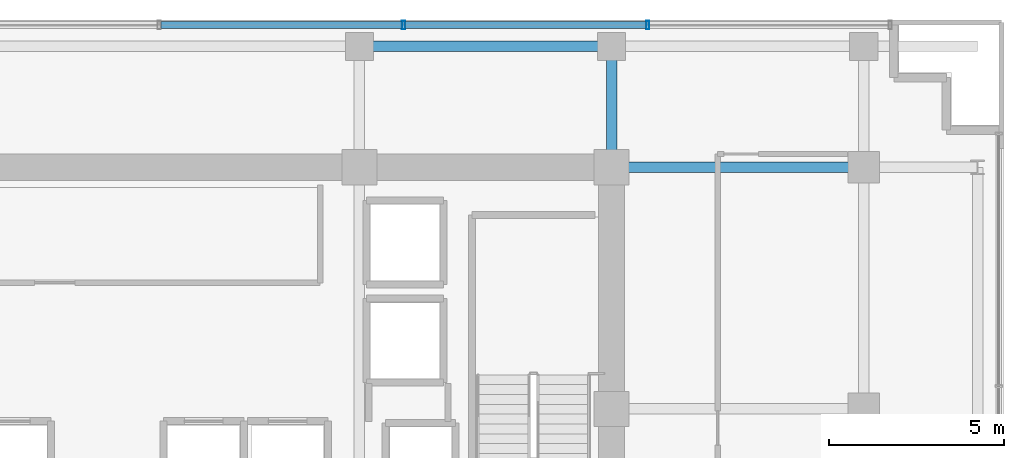
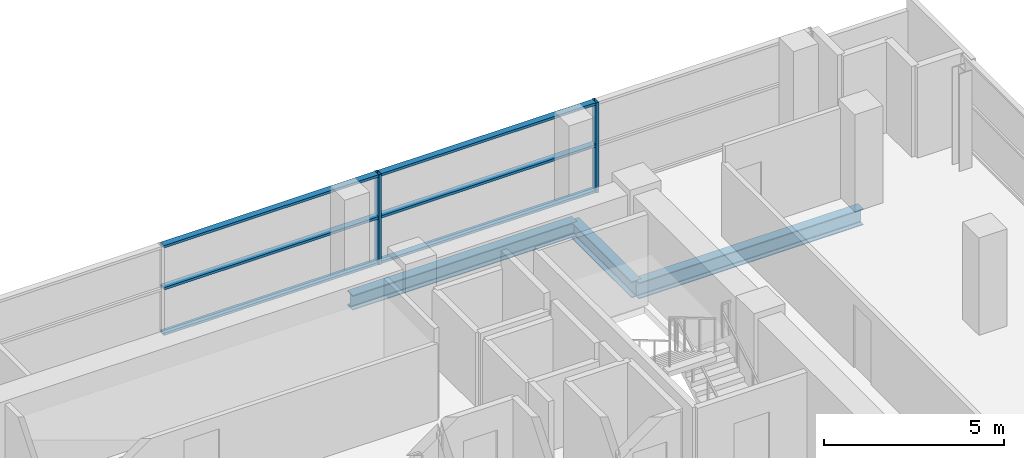
# One storey, part 17 of 28: 8 members, 3 beams, 1 element without a shape of its own.
"""IFC4 building model written with IfcOpenShell, lengths in metres."""

from ifc_helpers import new_model, si_unit, direction, frame, origin, origin_2d, place, context, subcontext, project, spatial, hollow_rectangle, i_section, extrude, source, transform, mapped, material, layer, layer_set, material_profile, profile_set, type_object, element, aggregate, save


model = new_model("IFC4")

# Units and contexts
model_context = context("Model", 3, precision=1e-05, world=origin(), true_north=direction((0.0, 1.0)))
body_context = subcontext(model_context, "Body", "Model", "MODEL_VIEW")
ifc_project = project(units=[si_unit("LENGTHUNIT", "METRE"), si_unit("AREAUNIT", "SQUARE_METRE"), si_unit("VOLUMEUNIT", "CUBIC_METRE"), si_unit("PLANEANGLEUNIT", "RADIAN"), si_unit("MASSUNIT", "GRAM", prefix="KILO")], contexts=[model_context])

# Site, building, storey
site_placement = place(None, origin())
site = spatial("IfcSite", under=ifc_project, at=site_placement, CompositionType="ELEMENT")
building_placement = place(site_placement, origin())
building = spatial("IfcBuilding", under=site, at=building_placement, Name="Zarnakvel Exchange Tower", CompositionType="ELEMENT")
storey_placement = place(building_placement, frame((0.0, 0.0, 109.89990234375)))
storey = spatial("IfcBuildingStorey", under=building, at=storey_placement, Name="L30", CompositionType="ELEMENT", Elevation=109.89990234375)

# Beams
ifc_material_1 = material(Name="Steel S355", Category="steel")
ifc_material_profile_1 = material_profile(ifc_material_1, i_section(OverallWidth=0.300048828125, OverallDepth=0.550048828125, WebThickness=0.014892578125, FlangeThickness=0.029052734375, FilletRadius=0.027099609375, at=origin_2d()))
ifc_profile_set_1 = profile_set([ifc_material_profile_1], Name="Steel S355")
beam_type_1 = type_object("IfcBeamType", Name="G-05", PredefinedType="BEAM", material=ifc_profile_set_1)
beam_1_placement = place(storey_placement, frame((14.39990234375, 13.5, -0.5), z_axis=(1.0, 0.0, 0.0), x_axis=(0.0, 1.0, 0.0)))
element("IfcBeam", 1, at=beam_1_placement, inside=storey, type_object=beam_type_1, Name="L30 Tower E-W Frame Beam", PredefinedType="BEAM", context=body_context, shape_type="SweptSolid", body=[
    extrude(i_section(OverallWidth=0.300048828125, OverallDepth=0.550048828125, WebThickness=0.014892578125, FlangeThickness=0.029052734375, FilletRadius=0.027099609375, at=origin_2d()), origin(), (0.0, 0.0, 1.0), 7.2001953125),
])
beam_2_placement = place(storey_placement, frame((14.39990234375, 13.5, -0.5), z_axis=(0.0, 1.0, 0.0), x_axis=(-1.0, 0.0, 0.0)))
element("IfcBeam", 2, at=beam_2_placement, inside=storey, type_object=beam_type_1, Name="L30 Tower N-S Frame Beam", PredefinedType="BEAM", context=body_context, shape_type="SweptSolid", body=[
    extrude(i_section(OverallWidth=0.300048828125, OverallDepth=0.550048828125, WebThickness=0.014892578125, FlangeThickness=0.029052734375, FilletRadius=0.027099609375, at=origin_2d()), origin(), (0.0, 0.0, 1.0), 3.449951171875),
])
ifc_material_profile_2 = material_profile(ifc_material_1, i_section(OverallWidth=0.300048828125, OverallDepth=0.5, WebThickness=0.014404296875, FlangeThickness=0.028076171875, FilletRadius=0.027099609375, at=origin_2d()))
ifc_profile_set_2 = profile_set([ifc_material_profile_2], Name="Steel S355")
beam_type_2 = type_object("IfcBeamType", Name="SP-02", PredefinedType="SPANDREL", material=ifc_profile_set_2)
beam_3_placement = place(storey_placement, frame((7.199951171875, 16.949951171875, -0.474853515625), z_axis=(1.0, 0.0, 0.0), x_axis=(0.0, 1.0, 0.0)))
element("IfcBeam", 3, at=beam_3_placement, inside=storey, type_object=beam_type_2, Name="L30 Tower E-W Frame Beam", PredefinedType="SPANDREL", context=body_context, shape_type="SweptSolid", body=[
    extrude(i_section(OverallWidth=0.300048828125, OverallDepth=0.5, WebThickness=0.014404296875, FlangeThickness=0.028076171875, FilletRadius=0.027099609375, at=origin_2d()), origin(), (0.0, 0.0, 1.0), 7.199951171875),
])

# Curtain wall, members
ifc_material_2 = material(Name="Architectural Bronze Anodised Aluminium", Category="aluminium")
ifc_layer = layer(ifc_material_2, 0.239990234375)
ifc_layer_set = layer_set([ifc_layer], Name="Architectural Bronze Anodised Aluminium")
curtain_wall_type = type_object("IfcCurtainWallType", Name="CW-02", PredefinedType="NOTDEFINED", material=ifc_layer_set)
curtain_wall_placement = place(storey_placement, origin())
curtain_wall = element("IfcCurtainWall", 4, at=curtain_wall_placement, inside=storey, type_object=curtain_wall_type, Name="L30 Curtain Wall CW-L30-N1 (CW-02)", PredefinedType="NOTDEFINED")
ifc_material_profile_3 = material_profile(ifc_material_2, hollow_rectangle(XDim=0.239990234375, YDim=0.090087890625, WallThickness=0.006103515625, at=origin_2d()))
ifc_profile_set_3 = profile_set([ifc_material_profile_3], Name="Architectural Bronze Anodised Aluminium")
member_type_1 = type_object("IfcMemberType", Name="CWM-02", PredefinedType="MULLION", material=ifc_profile_set_3)
shared_shape_1 = source(origin(), body_context, "Body", "SweptSolid", [
    extrude(hollow_rectangle(XDim=0.239990234375, YDim=0.090087890625, WallThickness=0.006103515625, at=origin_2d()), origin(), (0.0, 0.0, 1.0), 3.05517578125),
])
member_1_placement = place(storey_placement, frame((8.45703125, 17.56005859375, 0.0), z_axis=(0.0, 0.0, 1.0), x_axis=(0.0, 1.0, 0.0)))
member_1 = element("IfcMember", 5, at=member_1_placement, type_object=member_type_1, Name="CW-02 mullion 6", PredefinedType="MULLION", context=body_context, shape_type="MappedRepresentation", body=[
    mapped(shared_shape_1, transform((0.0, 0.0, 0.0), x_axis=(1.0, 0.0, 0.0), y_axis=(0.0, 1.0, 0.0), z_axis=(0.0, 0.0, 1.0), scale=1.0)),
])
member_2_placement = place(storey_placement, frame((15.428466796875, 17.56005859375, 0.0), z_axis=(0.0, 0.0, 1.0), x_axis=(0.0, 1.0, 0.0)))
member_2 = element("IfcMember", 6, at=member_2_placement, type_object=member_type_1, Name="CW-02 mullion 7", PredefinedType="MULLION", context=body_context, shape_type="MappedRepresentation", body=[
    mapped(shared_shape_1, transform((0.0, 0.0, 0.0), x_axis=(1.0, 0.0, 0.0), y_axis=(0.0, 1.0, 0.0), z_axis=(0.0, 0.0, 1.0), scale=1.0)),
])
ifc_material_profile_4 = material_profile(ifc_material_2, hollow_rectangle(XDim=0.199951171875, YDim=0.0849609375, WallThickness=0.0048828125, at=origin_2d()))
ifc_profile_set_4 = profile_set([ifc_material_profile_4], Name="Architectural Bronze Anodised Aluminium")
member_type_2 = type_object("IfcMemberType", Name="CWT-02", PredefinedType="USERDEFINED", material=ifc_profile_set_4)
shared_shape_2 = source(origin(), body_context, "Body", "SweptSolid", [
    extrude(hollow_rectangle(XDim=0.199951171875, YDim=0.0849609375, WallThickness=0.0048828125, at=origin_2d()), origin(), (0.0, 0.0, 1.0), 6.88134765625),
])
member_3_placement = place(storey_placement, frame((1.53076171875, 17.56005859375, 0.04248046875), z_axis=(1.0, 0.0, 0.0), x_axis=(0.0, 1.0, 0.0)))
member_3 = element("IfcMember", 7, at=member_3_placement, type_object=member_type_2, Name="CW-02 transom 5.1", ObjectType="TRANSOM", PredefinedType="USERDEFINED", context=body_context, shape_type="MappedRepresentation", body=[
    mapped(shared_shape_2, transform((0.0, 0.0, 0.0), x_axis=(1.0, 0.0, 0.0), y_axis=(0.0, 1.0, 0.0), z_axis=(0.0, 0.0, 1.0), scale=1.0)),
])
member_4_placement = place(storey_placement, frame((1.53076171875, 17.56005859375, 1.588623046875), z_axis=(1.0, 0.0, 0.0), x_axis=(0.0, 1.0, 0.0)))
member_4 = element("IfcMember", 8, at=member_4_placement, type_object=member_type_2, Name="CW-02 transom 5.2", ObjectType="TRANSOM", PredefinedType="USERDEFINED", context=body_context, shape_type="MappedRepresentation", body=[
    mapped(shared_shape_2, transform((0.0, 0.0, 0.0), x_axis=(1.0, 0.0, 0.0), y_axis=(0.0, 1.0, 0.0), z_axis=(0.0, 0.0, 1.0), scale=1.0)),
])
member_5_placement = place(storey_placement, frame((1.53076171875, 17.56005859375, 3.0126953125), z_axis=(1.0, 0.0, 0.0), x_axis=(0.0, 1.0, 0.0)))
member_5 = element("IfcMember", 9, at=member_5_placement, type_object=member_type_2, Name="CW-02 transom 5.3", ObjectType="TRANSOM", PredefinedType="USERDEFINED", context=body_context, shape_type="MappedRepresentation", body=[
    mapped(shared_shape_2, transform((0.0, 0.0, 0.0), x_axis=(1.0, 0.0, 0.0), y_axis=(0.0, 1.0, 0.0), z_axis=(0.0, 0.0, 1.0), scale=1.0)),
])
member_6_placement = place(storey_placement, frame((8.502197265625, 17.56005859375, 0.04248046875), z_axis=(1.0, 0.0, 0.0), x_axis=(0.0, 1.0, 0.0)))
member_6 = element("IfcMember", 10, at=member_6_placement, type_object=member_type_2, Name="CW-02 transom 6.1", ObjectType="TRANSOM", PredefinedType="USERDEFINED", context=body_context, shape_type="MappedRepresentation", body=[
    mapped(shared_shape_2, transform((0.0, 0.0, 0.0), x_axis=(1.0, 0.0, 0.0), y_axis=(0.0, 1.0, 0.0), z_axis=(0.0, 0.0, 1.0), scale=1.0)),
])
member_7_placement = place(storey_placement, frame((8.502197265625, 17.56005859375, 1.588623046875), z_axis=(1.0, 0.0, 0.0), x_axis=(0.0, 1.0, 0.0)))
member_7 = element("IfcMember", 11, at=member_7_placement, type_object=member_type_2, Name="CW-02 transom 6.2", ObjectType="TRANSOM", PredefinedType="USERDEFINED", context=body_context, shape_type="MappedRepresentation", body=[
    mapped(shared_shape_2, transform((0.0, 0.0, 0.0), x_axis=(1.0, 0.0, 0.0), y_axis=(0.0, 1.0, 0.0), z_axis=(0.0, 0.0, 1.0), scale=1.0)),
])
member_8_placement = place(storey_placement, frame((8.502197265625, 17.56005859375, 3.0126953125), z_axis=(1.0, 0.0, 0.0), x_axis=(0.0, 1.0, 0.0)))
member_8 = element("IfcMember", 12, at=member_8_placement, type_object=member_type_2, Name="CW-02 transom 6.3", ObjectType="TRANSOM", PredefinedType="USERDEFINED", context=body_context, shape_type="MappedRepresentation", body=[
    mapped(shared_shape_2, transform((0.0, 0.0, 0.0), x_axis=(1.0, 0.0, 0.0), y_axis=(0.0, 1.0, 0.0), z_axis=(0.0, 0.0, 1.0), scale=1.0)),
])
aggregate(curtain_wall, [member_1, member_2, member_3, member_4, member_5, member_6, member_7, member_8])

save(model, "model.ifc")
